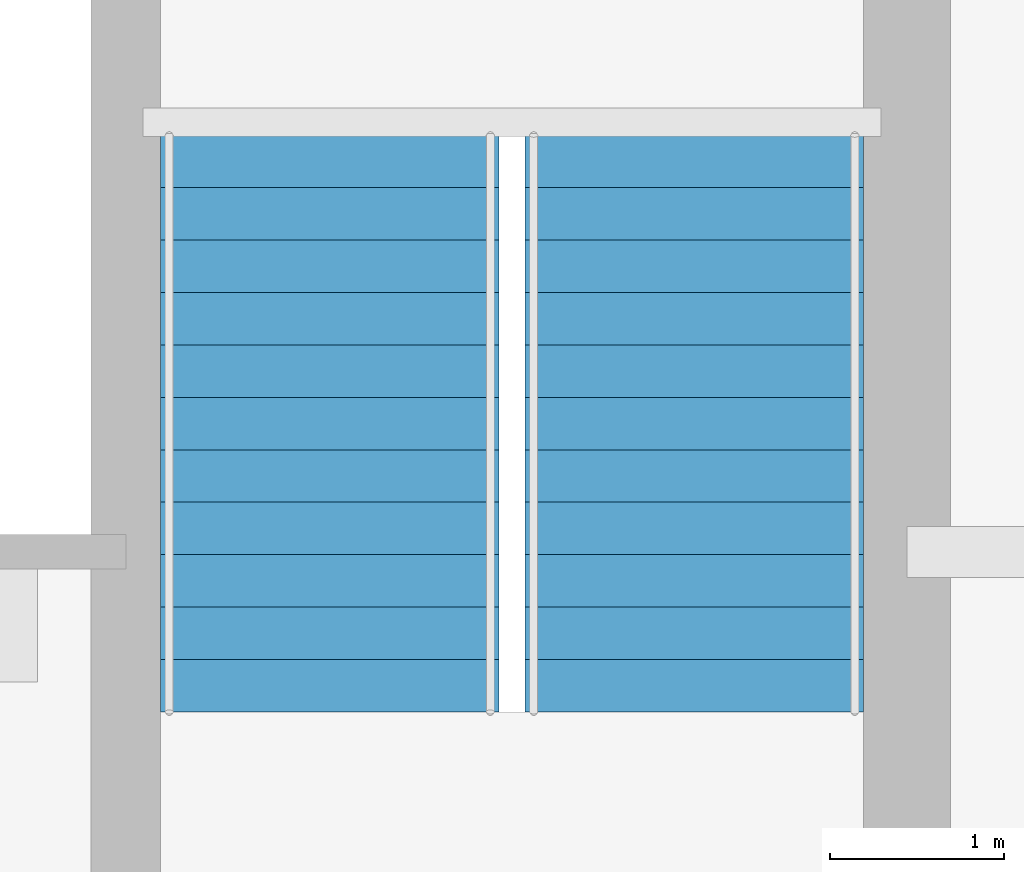
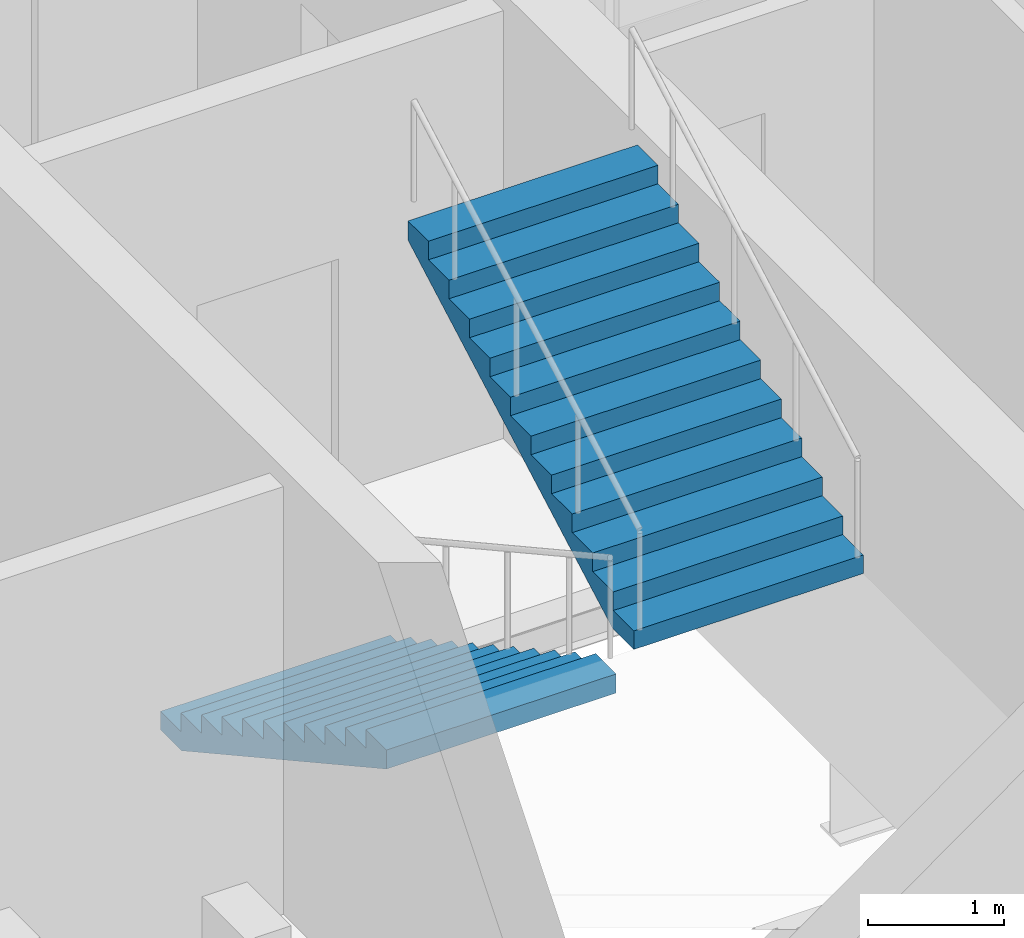
# One storey, part 11 of 13: 2 stair flights, 1 element without a shape of its own.
"""IFC4 building model written with IfcOpenShell, lengths in metres."""

from ifc_helpers import new_model, si_unit, direction, frame, origin, place, context, subcontext, project, spatial, polyline, outline, extrude, material, type_object, element, aggregate, save


model = new_model("IFC4")

# Units and contexts
model_context = context("Model", 3, precision=1e-05, world=origin(), true_north=direction((0.0, 1.0)))
body_context = subcontext(model_context, "Body", "Model", "MODEL_VIEW")
ifc_project = project(units=[si_unit("LENGTHUNIT", "METRE"), si_unit("AREAUNIT", "SQUARE_METRE"), si_unit("VOLUMEUNIT", "CUBIC_METRE"), si_unit("PLANEANGLEUNIT", "RADIAN"), si_unit("MASSUNIT", "GRAM", prefix="KILO")], contexts=[model_context])

# Site, building, storey
site_placement = place(None, origin())
site = spatial("IfcSite", under=ifc_project, at=site_placement, CompositionType="ELEMENT")
building_placement = place(site_placement, origin())
building = spatial("IfcBuilding", under=site, at=building_placement, Name="Corais Broadcast Tower", CompositionType="ELEMENT")
storey_placement = place(building_placement, frame((0.0, 0.0, 175.60009765625)))
storey = spatial("IfcBuildingStorey", under=building, at=storey_placement, Name="L40", CompositionType="ELEMENT", Elevation=175.60009765625)

# Stair, stair flights
ifc_material_1 = material(Name="Concrete C30/37", Category="concrete")
stair_type = type_object("IfcStairType", Name="Half-turn stair 4000", PredefinedType="HALF_TURN_STAIR", material=ifc_material_1)
stair_placement = place(storey_placement, origin())
stair = element("IfcStair", 1, at=stair_placement, inside=storey, type_object=stair_type, Name="Stair B L40", PredefinedType="HALF_TURN_STAIR")
ifc_material_2 = material(Name="Concrete C30/37", Category="concrete")
stair_flight_type = type_object("IfcStairFlightType", Name="Stair flight 4000", PredefinedType="STRAIGHT", material=ifc_material_2)
stair_flight_1_placement = place(storey_placement, frame((37.175048828125, 29.39990234375, 0.0), z_axis=(0.0, 0.0, 1.0), x_axis=(0.0, -1.0, 0.0)))
stair_flight_1 = element("IfcStairFlight", 2, at=stair_flight_1_placement, type_object=stair_flight_type, Name="STB flight 1", NumberOfRisers=12, NumberOfTreads=11, PredefinedType="STRAIGHT", RiserHeight=0.166666667, TreadLength=0.302, context=body_context, shape_type="SweptSolid", body=[
    extrude(outline(polyline([(0.0, 0.0), (0.0, 0.166748046875), (0.302001953125, 0.166748046875), (0.302001953125, 0.333251953125), (0.60400390625, 0.333251953125), (0.60400390625, 0.5), (0.906005859375, 0.5), (0.906005859375, 0.666748046875), (1.2080078125, 0.666748046875), (1.2080078125, 0.833251953125), (1.510009765625, 0.833251953125), (1.510009765625, 1.0), (1.81201171875, 1.0), (1.81201171875, 1.166748046875), (2.114013671875, 1.166748046875), (2.114013671875, 1.333251953125), (2.416015625, 1.333251953125), (2.416015625, 1.5), (2.718017578125, 1.5), (2.718017578125, 1.666748046875), (3.02001953125, 1.666748046875), (3.02001953125, 1.833251953125), (3.322021484375, 1.833251953125), (3.322021484375, 2.0), (3.322021484375, 1.662109375), (0.310302734375, 0.0), (0.0, 0.0)])), frame((0.0, 0.97509765625, 0.0), z_axis=(0.0, -1.0, 0.0), x_axis=(1.0, 0.0, 0.0)), (0.0, 0.0, 1.0), 1.949951171875),
])
stair_flight_2_placement = place(storey_placement, frame((39.27490234375, 26.077880859375, 2.0), z_axis=(0.0, 0.0, 1.0), x_axis=(0.0, 1.0, 0.0)))
stair_flight_2 = element("IfcStairFlight", 3, at=stair_flight_2_placement, type_object=stair_flight_type, Name="STB flight 2", NumberOfRisers=12, NumberOfTreads=11, PredefinedType="STRAIGHT", RiserHeight=0.166666667, TreadLength=0.302, context=body_context, shape_type="SweptSolid", body=[
    extrude(outline(polyline([(0.0, 0.0), (0.0, 0.166748046875), (0.302001953125, 0.166748046875), (0.302001953125, 0.333251953125), (0.60400390625, 0.333251953125), (0.60400390625, 0.5), (0.906005859375, 0.5), (0.906005859375, 0.666748046875), (1.2080078125, 0.666748046875), (1.2080078125, 0.833251953125), (1.510009765625, 0.833251953125), (1.510009765625, 1.0), (1.81201171875, 1.0), (1.81201171875, 1.166748046875), (2.114013671875, 1.166748046875), (2.114013671875, 1.333251953125), (2.416015625, 1.333251953125), (2.416015625, 1.5), (2.718017578125, 1.5), (2.718017578125, 1.666748046875), (3.02001953125, 1.666748046875), (3.02001953125, 1.833251953125), (3.322021484375, 1.833251953125), (3.322021484375, 2.0), (3.322021484375, 1.662109375), (0.310302734375, 0.0), (0.0, 0.0)])), frame((0.0, 0.97509765625, 0.0), z_axis=(0.0, -1.0, 0.0), x_axis=(1.0, 0.0, 0.0)), (0.0, 0.0, 1.0), 1.949951171875),
])
aggregate(stair, [stair_flight_1, stair_flight_2])

save(model, "model.ifc")
